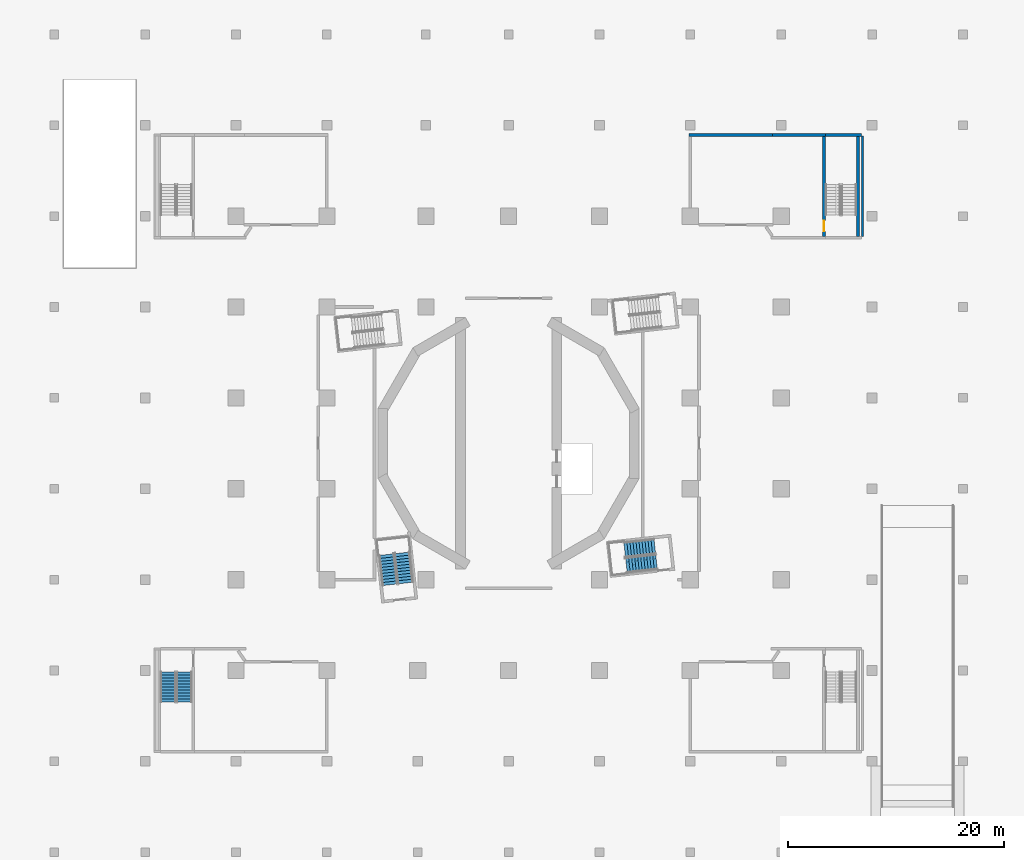
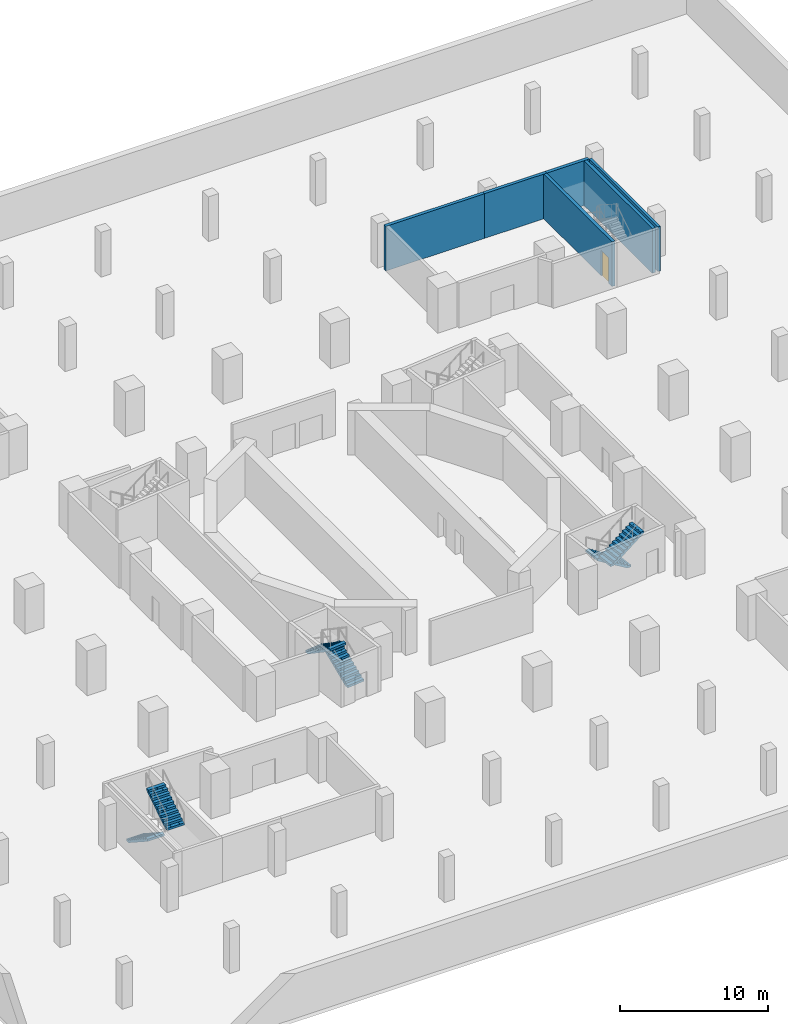
# One storey, part 10 of 18: 6 stair flights, 6 walls, 1 door, 1 opening, 3 elements without a shape of their own.
"""IFC4 building model written with IfcOpenShell, lengths in metres."""

from ifc_helpers import new_model, si_unit, direction, frame, frame_2d, origin, place, context, subcontext, project, spatial, polyline, rectangle, outline, extrude, material, layer, layer_set, type_object, element, fill, aggregate, save


model = new_model("IFC4")

# Units and contexts
model_context = context("Model", 3, precision=1e-05, world=origin(), true_north=direction((0.0, 1.0)))
body_context = subcontext(model_context, "Body", "Model", "MODEL_VIEW")
ifc_project = project(units=[si_unit("LENGTHUNIT", "METRE"), si_unit("AREAUNIT", "SQUARE_METRE"), si_unit("VOLUMEUNIT", "CUBIC_METRE"), si_unit("PLANEANGLEUNIT", "RADIAN"), si_unit("MASSUNIT", "GRAM", prefix="KILO")], contexts=[model_context])

# Site, building, storey
site_placement = place(None, origin())
site = spatial("IfcSite", under=ifc_project, at=site_placement, CompositionType="ELEMENT")
building_placement = place(site_placement, origin())
building = spatial("IfcBuilding", under=site, at=building_placement, Name="Cantera Rosa Tower", CompositionType="ELEMENT")
storey_placement = place(building_placement, frame((0.0, 0.0, -9.0)))
storey = spatial("IfcBuildingStorey", under=building, at=storey_placement, Name="B2", CompositionType="ELEMENT", Elevation=-9.0)

# Walls
ifc_material_1 = material(Name="Masonry blockwork", Category="masonry")
ifc_layer_1 = layer(ifc_material_1, 0.199951171875)
ifc_layer_set_1 = layer_set([ifc_layer_1], Name="Blockwork partition 200")
wall_type_1 = type_object("IfcWallType", Name="Blockwork partition 200", PredefinedType="PARTITIONING", material=ifc_layer_set_1)
wall_1_placement = place(storey_placement, frame((32.699951171875, 19.10009765625, 0.0), z_axis=(0.0, 0.0, 1.0), x_axis=(0.0, 1.0, 0.0)))
element("IfcWall", 1, at=wall_1_placement, inside=storey, type_object=wall_type_1, Name="Partition B2-33", PredefinedType="PARTITIONING", context=body_context, shape_type="SweptSolid", body=[
    extrude(rectangle(XDim=9.2998046875, YDim=0.199951171875, at=frame_2d((4.64990234375, 0.0))), origin(), (0.0, 0.0, 1.0), 3.699951171875),
])
ifc_material_2 = material(Name="Concrete C50/60", Category="concrete")
ifc_layer_2 = layer(ifc_material_2, 0.25)
ifc_layer_set_2 = layer_set([ifc_layer_2], Name="External stair wall 250")
wall_type_2 = type_object("IfcWallType", Name="External stair wall 250", PredefinedType="SOLIDWALL", material=ifc_layer_set_2)
wall_2_placement = place(storey_placement, frame((29.27490234375, 28.5, 0.0), z_axis=(0.0, 0.0, 1.0), x_axis=(1.0, 0.0, 0.0)))
element("IfcWall", 2, at=wall_2_placement, inside=storey, type_object=wall_type_2, Name="Stair wall B2-24", PredefinedType="SOLIDWALL", context=body_context, shape_type="SweptSolid", body=[
    extrude(rectangle(XDim=3.3251953125, YDim=0.25, at=frame_2d((1.66259765625, 0.0))), origin(), (0.0, 0.0, 1.0), 3.699951171875),
])
ifc_material_3 = material(Name="Masonry blockwork", Category="masonry")
ifc_layer_3 = layer(ifc_material_3, 0.25)
ifc_layer_set_3 = layer_set([ifc_layer_3], Name="Fire-rated external wall 250")
wall_type_3 = type_object("IfcWallType", Name="Fire-rated external wall 250", PredefinedType="PARTITIONING", material=ifc_layer_set_3)
wall_3_placement = place(storey_placement, frame((16.675048828125, 28.5, 0.0), z_axis=(0.0, 0.0, 1.0), x_axis=(1.0, 0.0, 0.0)))
element("IfcWall", 3, at=wall_3_placement, inside=storey, type_object=wall_type_3, Name="Fire wall B2-22", PredefinedType="PARTITIONING", context=body_context, shape_type="SweptSolid", body=[
    extrude(rectangle(XDim=7.724853515625, YDim=0.25, at=frame_2d((3.8623046875, 0.0))), origin(), (0.0, 0.0, 1.0), 3.699951171875),
])
wall_4_placement = place(storey_placement, frame((24.39990234375, 28.5, 0.0), z_axis=(0.0, 0.0, 1.0), x_axis=(1.0, 0.0, 0.0)))
element("IfcWall", 4, at=wall_4_placement, inside=storey, type_object=wall_type_3, Name="Fire wall B2-23", PredefinedType="PARTITIONING", context=body_context, shape_type="SweptSolid", body=[
    extrude(rectangle(XDim=4.875, YDim=0.25, at=frame_2d((2.4375, 0.0))), origin(), (0.0, 0.0, 1.0), 3.699951171875),
])
ifc_material_4 = material(Name="Concrete C50/60", Category="concrete")
ifc_layer_4 = layer(ifc_material_4, 0.25)
ifc_layer_set_4 = layer_set([ifc_layer_4], Name="RC stair wall 250 C50/60")
wall_type_4 = type_object("IfcWallType", Name="RC stair wall 250", PredefinedType="SOLIDWALL", material=ifc_layer_set_4)
wall_5_placement = place(storey_placement, frame((32.300048828125, 19.125, 0.0), z_axis=(0.0, 0.0, 1.0), x_axis=(0.0, 1.0, 0.0)))
element("IfcWall", 5, at=wall_5_placement, inside=storey, type_object=wall_type_4, Name="Stair wall B2-17", PredefinedType="SOLIDWALL", context=body_context, shape_type="SweptSolid", body=[
    extrude(rectangle(XDim=9.25, YDim=0.25, at=frame_2d((4.625, 0.0))), origin(), (0.0, 0.0, 1.0), 3.699951171875),
])

# Wall, opening, door
wall_6_placement = place(storey_placement, frame((29.14990234375, 19.125, 0.0), z_axis=(0.0, 0.0, 1.0), x_axis=(0.0, 1.0, 0.0)))
wall_6 = element("IfcWall", 6, at=wall_6_placement, inside=storey, type_object=wall_type_4, Name="Stair wall B2-26", PredefinedType="SOLIDWALL", context=body_context, shape_type="SweptSolid", body=[
    extrude(rectangle(XDim=9.25, YDim=0.25, at=frame_2d((4.625, 0.0))), origin(), (0.0, 0.0, 1.0), 3.699951171875),
])
opening_placement = place(wall_6_placement, frame((0.47509765625, 0.0, 0.0)))
opening = element("IfcOpeningElement", 7, at=opening_placement, cuts=wall_6, Name="Opening B2-002", PredefinedType="OPENING", context=body_context, shape_type="SweptSolid", body=[
    extrude(rectangle(XDim=1.0, YDim=2.10009765625, at=frame_2d((0.5, 1.050048828125))), frame((0.0, 0.135009765625, 0.0), z_axis=(0.0, -1.0, 0.0), x_axis=(1.0, 0.0, 0.0)), (0.0, 0.0, 1.0), 0.27001953125),
])
ifc_material_5 = material(Name="Steel S355J2 (EN 10025-2)", Category="steel")
door_type = type_object("IfcDoorType", Name="Fire door 1000x2100 EI 120", OperationType="NOTDEFINED", PredefinedType="DOOR", material=ifc_material_5)
door_placement = place(opening_placement, origin())
door = element("IfcDoor", 8, at=door_placement, inside=storey, type_object=door_type, Name="Door B2-002", OverallHeight=2.10009765625, OverallWidth=1.0, PredefinedType="DOOR", context=body_context, shape_type="SweptSolid", body=[
    extrude(rectangle(XDim=1.0, YDim=2.10009765625, at=frame_2d((0.5, 1.050048828125))), frame((0.0, 0.02490234375, 0.0), z_axis=(0.0, -1.0, 0.0), x_axis=(1.0, 0.0, 0.0)), (0.0, 0.0, 1.0), 0.050048828125),
])
fill(opening, door)

# Stair, stair flights
ifc_material_6 = material(Name="Concrete C35/45", Category="concrete")
stair_type_1 = type_object("IfcStairType", Name="EXIT STAIR 1350 DOGLEG", PredefinedType="HALF_TURN_STAIR", material=ifc_material_6)
stair_1_placement = place(storey_placement, origin())
stair_1 = element("IfcStair", 9, at=stair_1_placement, inside=storey, type_object=stair_type_1, Name="B2 ST-13", PredefinedType="HALF_TURN_STAIR")
ifc_material_7 = material(Name="Concrete C35/45", Category="concrete")
stair_flight_type_1 = type_object("IfcStairFlightType", Name="STAIR FLIGHT 1350 R22x182", PredefinedType="STRAIGHT", material=ifc_material_7)
stair_flight_1_placement = place(storey_placement, frame((-9.500244140625, -12.90869140625, 0.0), z_axis=(0.0, 0.0, 1.0), x_axis=(-0.110312549749, 0.993896947056, 0.0)))
stair_flight_1 = element("IfcStairFlight", 10, at=stair_flight_1_placement, type_object=stair_flight_type_1, Name="ST-13 flight 1", NumberOfRisers=11, NumberOfTreads=10, PredefinedType="STRAIGHT", RiserHeight=0.181818182, TreadLength=0.28, context=body_context, shape_type="SweptSolid", body=[
    extrude(outline(polyline([(0.0, 0.0), (0.0, 0.181884765625), (0.280029296875, 0.181884765625), (0.280029296875, 0.363525390625), (0.56005859375, 0.363525390625), (0.56005859375, 0.54541015625), (0.840087890625, 0.54541015625), (0.840087890625, 0.727294921875), (1.1201171875, 0.727294921875), (1.1201171875, 0.9091796875), (1.39990234375, 0.9091796875), (1.39990234375, 1.0908203125), (1.679931640625, 1.0908203125), (1.679931640625, 1.272705078125), (1.9599609375, 1.272705078125), (1.9599609375, 1.45458984375), (2.239990234375, 1.45458984375), (2.239990234375, 1.636474609375), (2.52001953125, 1.636474609375), (2.52001953125, 1.818115234375), (2.800048828125, 1.818115234375), (2.800048828125, 2.0), (2.800048828125, 1.639404296875), (0.275146484375, 0.0), (0.0, 0.0)])), frame((0.0, 0.675048828125, 0.0), z_axis=(0.0, -1.0, 0.0), x_axis=(1.0, 0.0, 0.0)), (0.0, 0.0, 1.0), 0.3359375),
    extrude(outline(polyline([(0.0, 0.0), (0.0, 0.181884765625), (0.280029296875, 0.181884765625), (0.280029296875, 0.363525390625), (0.56005859375, 0.363525390625), (0.56005859375, 0.54541015625), (0.840087890625, 0.54541015625), (0.840087890625, 0.727294921875), (1.1201171875, 0.727294921875), (1.1201171875, 0.9091796875), (1.39990234375, 0.9091796875), (1.39990234375, 1.0908203125), (1.679931640625, 1.0908203125), (1.679931640625, 1.272705078125), (1.9599609375, 1.272705078125), (1.9599609375, 1.45458984375), (2.239990234375, 1.45458984375), (2.239990234375, 1.636474609375), (2.52001953125, 1.636474609375), (2.52001953125, 1.818115234375), (2.800048828125, 1.818115234375), (2.800048828125, 2.0), (2.800048828125, 1.639404296875), (0.275146484375, 0.0), (0.0, 0.0)])), frame((0.0, 0.337158203125, 0.0), z_axis=(0.0, -1.0, 0.0), x_axis=(1.0, 0.0, 0.0)), (0.0, 0.0, 1.0), 0.3359375),
    extrude(outline(polyline([(0.0, 0.0), (0.0, 0.181884765625), (0.280029296875, 0.181884765625), (0.280029296875, 0.363525390625), (0.56005859375, 0.363525390625), (0.56005859375, 0.54541015625), (0.840087890625, 0.54541015625), (0.840087890625, 0.727294921875), (1.1201171875, 0.727294921875), (1.1201171875, 0.9091796875), (1.39990234375, 0.9091796875), (1.39990234375, 1.0908203125), (1.679931640625, 1.0908203125), (1.679931640625, 1.272705078125), (1.9599609375, 1.272705078125), (1.9599609375, 1.45458984375), (2.239990234375, 1.45458984375), (2.239990234375, 1.636474609375), (2.52001953125, 1.636474609375), (2.52001953125, 1.818115234375), (2.800048828125, 1.818115234375), (2.800048828125, 2.0), (2.800048828125, 1.639404296875), (0.275146484375, 0.0), (0.0, 0.0)])), frame((0.0, -0.000732421875, 0.0), z_axis=(0.0, -1.0, 0.0), x_axis=(1.0, 0.0, 0.0)), (0.0, 0.0, 1.0), 0.3359375),
    extrude(outline(polyline([(0.0, 0.0), (0.0, 0.181884765625), (0.280029296875, 0.181884765625), (0.280029296875, 0.363525390625), (0.56005859375, 0.363525390625), (0.56005859375, 0.54541015625), (0.840087890625, 0.54541015625), (0.840087890625, 0.727294921875), (1.1201171875, 0.727294921875), (1.1201171875, 0.9091796875), (1.39990234375, 0.9091796875), (1.39990234375, 1.0908203125), (1.679931640625, 1.0908203125), (1.679931640625, 1.272705078125), (1.9599609375, 1.272705078125), (1.9599609375, 1.45458984375), (2.239990234375, 1.45458984375), (2.239990234375, 1.636474609375), (2.52001953125, 1.636474609375), (2.52001953125, 1.818115234375), (2.800048828125, 1.818115234375), (2.800048828125, 2.0), (2.800048828125, 1.639404296875), (0.275146484375, 0.0), (0.0, 0.0)])), frame((0.0, -0.338623046875, 0.0), z_axis=(0.0, -1.0, 0.0), x_axis=(1.0, 0.0, 0.0)), (0.0, 0.0, 1.0), 0.3359375),
])
stair_flight_2_placement = place(storey_placement, frame((-11.2998046875, -10.291259765625, 2.0), z_axis=(0.0, 0.0, 1.0), x_axis=(0.110312549749, -0.993896947056, 0.0)))
stair_flight_2 = element("IfcStairFlight", 11, at=stair_flight_2_placement, type_object=stair_flight_type_1, Name="ST-13 flight 2", NumberOfRisers=11, NumberOfTreads=10, PredefinedType="STRAIGHT", RiserHeight=0.181818182, TreadLength=0.28, context=body_context, shape_type="SweptSolid", body=[
    extrude(outline(polyline([(0.0, 0.0), (0.0, 0.181884765625), (0.280029296875, 0.181884765625), (0.280029296875, 0.363525390625), (0.56005859375, 0.363525390625), (0.56005859375, 0.54541015625), (0.840087890625, 0.54541015625), (0.840087890625, 0.727294921875), (1.1201171875, 0.727294921875), (1.1201171875, 0.9091796875), (1.39990234375, 0.9091796875), (1.39990234375, 1.0908203125), (1.679931640625, 1.0908203125), (1.679931640625, 1.272705078125), (1.9599609375, 1.272705078125), (1.9599609375, 1.45458984375), (2.239990234375, 1.45458984375), (2.239990234375, 1.636474609375), (2.52001953125, 1.636474609375), (2.52001953125, 1.818115234375), (2.800048828125, 1.818115234375), (2.800048828125, 2.0), (2.800048828125, 1.639404296875), (0.275146484375, 0.0), (0.0, 0.0)])), frame((0.0, 0.675048828125, 0.0), z_axis=(0.0, -1.0, 0.0), x_axis=(1.0, 0.0, 0.0)), (0.0, 0.0, 1.0), 0.3359375),
    extrude(outline(polyline([(0.0, 0.0), (0.0, 0.181884765625), (0.280029296875, 0.181884765625), (0.280029296875, 0.363525390625), (0.56005859375, 0.363525390625), (0.56005859375, 0.54541015625), (0.840087890625, 0.54541015625), (0.840087890625, 0.727294921875), (1.1201171875, 0.727294921875), (1.1201171875, 0.9091796875), (1.39990234375, 0.9091796875), (1.39990234375, 1.0908203125), (1.679931640625, 1.0908203125), (1.679931640625, 1.272705078125), (1.9599609375, 1.272705078125), (1.9599609375, 1.45458984375), (2.239990234375, 1.45458984375), (2.239990234375, 1.636474609375), (2.52001953125, 1.636474609375), (2.52001953125, 1.818115234375), (2.800048828125, 1.818115234375), (2.800048828125, 2.0), (2.800048828125, 1.639404296875), (0.275146484375, 0.0), (0.0, 0.0)])), frame((0.0, 0.337158203125, 0.0), z_axis=(0.0, -1.0, 0.0), x_axis=(1.0, 0.0, 0.0)), (0.0, 0.0, 1.0), 0.3359375),
    extrude(outline(polyline([(0.0, 0.0), (0.0, 0.181884765625), (0.280029296875, 0.181884765625), (0.280029296875, 0.363525390625), (0.56005859375, 0.363525390625), (0.56005859375, 0.54541015625), (0.840087890625, 0.54541015625), (0.840087890625, 0.727294921875), (1.1201171875, 0.727294921875), (1.1201171875, 0.9091796875), (1.39990234375, 0.9091796875), (1.39990234375, 1.0908203125), (1.679931640625, 1.0908203125), (1.679931640625, 1.272705078125), (1.9599609375, 1.272705078125), (1.9599609375, 1.45458984375), (2.239990234375, 1.45458984375), (2.239990234375, 1.636474609375), (2.52001953125, 1.636474609375), (2.52001953125, 1.818115234375), (2.800048828125, 1.818115234375), (2.800048828125, 2.0), (2.800048828125, 1.639404296875), (0.275146484375, 0.0), (0.0, 0.0)])), frame((0.0, -0.000732421875, 0.0), z_axis=(0.0, -1.0, 0.0), x_axis=(1.0, 0.0, 0.0)), (0.0, 0.0, 1.0), 0.3359375),
    extrude(outline(polyline([(0.0, 0.0), (0.0, 0.181884765625), (0.280029296875, 0.181884765625), (0.280029296875, 0.363525390625), (0.56005859375, 0.363525390625), (0.56005859375, 0.54541015625), (0.840087890625, 0.54541015625), (0.840087890625, 0.727294921875), (1.1201171875, 0.727294921875), (1.1201171875, 0.9091796875), (1.39990234375, 0.9091796875), (1.39990234375, 1.0908203125), (1.679931640625, 1.0908203125), (1.679931640625, 1.272705078125), (1.9599609375, 1.272705078125), (1.9599609375, 1.45458984375), (2.239990234375, 1.45458984375), (2.239990234375, 1.636474609375), (2.52001953125, 1.636474609375), (2.52001953125, 1.818115234375), (2.800048828125, 1.818115234375), (2.800048828125, 2.0), (2.800048828125, 1.639404296875), (0.275146484375, 0.0), (0.0, 0.0)])), frame((0.0, -0.338623046875, 0.0), z_axis=(0.0, -1.0, 0.0), x_axis=(1.0, 0.0, 0.0)), (0.0, 0.0, 1.0), 0.3359375),
])
aggregate(stair_1, [stair_flight_1, stair_flight_2])

stair_2_placement = place(storey_placement, origin())
stair_2 = element("IfcStair", 12, at=stair_2_placement, inside=storey, type_object=stair_type_1, Name="B2 ST-14", PredefinedType="HALF_TURN_STAIR")
stair_flight_3_placement = place(storey_placement, frame((13.5087890625, -9.500244140625, 0.0), z_axis=(0.0, 0.0, 1.0), x_axis=(-0.993896947056, -0.110312549749, 0.0)))
stair_flight_3 = element("IfcStairFlight", 13, at=stair_flight_3_placement, type_object=stair_flight_type_1, Name="ST-14 flight 1", NumberOfRisers=11, NumberOfTreads=10, PredefinedType="STRAIGHT", RiserHeight=0.181818182, TreadLength=0.28, context=body_context, shape_type="SweptSolid", body=[
    extrude(outline(polyline([(0.0, 0.0), (0.0, 0.181884765625), (0.280029296875, 0.181884765625), (0.280029296875, 0.363525390625), (0.56005859375, 0.363525390625), (0.56005859375, 0.54541015625), (0.840087890625, 0.54541015625), (0.840087890625, 0.727294921875), (1.1201171875, 0.727294921875), (1.1201171875, 0.9091796875), (1.39990234375, 0.9091796875), (1.39990234375, 1.0908203125), (1.679931640625, 1.0908203125), (1.679931640625, 1.272705078125), (1.9599609375, 1.272705078125), (1.9599609375, 1.45458984375), (2.239990234375, 1.45458984375), (2.239990234375, 1.636474609375), (2.52001953125, 1.636474609375), (2.52001953125, 1.818115234375), (2.800048828125, 1.818115234375), (2.800048828125, 2.0), (2.800048828125, 1.639404296875), (0.275146484375, 0.0), (0.0, 0.0)])), frame((0.0, 0.675048828125, 0.0), z_axis=(0.0, -1.0, 0.0), x_axis=(1.0, 0.0, 0.0)), (0.0, 0.0, 1.0), 0.3359375),
    extrude(outline(polyline([(0.0, 0.0), (0.0, 0.181884765625), (0.280029296875, 0.181884765625), (0.280029296875, 0.363525390625), (0.56005859375, 0.363525390625), (0.56005859375, 0.54541015625), (0.840087890625, 0.54541015625), (0.840087890625, 0.727294921875), (1.1201171875, 0.727294921875), (1.1201171875, 0.9091796875), (1.39990234375, 0.9091796875), (1.39990234375, 1.0908203125), (1.679931640625, 1.0908203125), (1.679931640625, 1.272705078125), (1.9599609375, 1.272705078125), (1.9599609375, 1.45458984375), (2.239990234375, 1.45458984375), (2.239990234375, 1.636474609375), (2.52001953125, 1.636474609375), (2.52001953125, 1.818115234375), (2.800048828125, 1.818115234375), (2.800048828125, 2.0), (2.800048828125, 1.639404296875), (0.275146484375, 0.0), (0.0, 0.0)])), frame((0.0, 0.337158203125, 0.0), z_axis=(0.0, -1.0, 0.0), x_axis=(1.0, 0.0, 0.0)), (0.0, 0.0, 1.0), 0.3359375),
    extrude(outline(polyline([(0.0, 0.0), (0.0, 0.181884765625), (0.280029296875, 0.181884765625), (0.280029296875, 0.363525390625), (0.56005859375, 0.363525390625), (0.56005859375, 0.54541015625), (0.840087890625, 0.54541015625), (0.840087890625, 0.727294921875), (1.1201171875, 0.727294921875), (1.1201171875, 0.9091796875), (1.39990234375, 0.9091796875), (1.39990234375, 1.0908203125), (1.679931640625, 1.0908203125), (1.679931640625, 1.272705078125), (1.9599609375, 1.272705078125), (1.9599609375, 1.45458984375), (2.239990234375, 1.45458984375), (2.239990234375, 1.636474609375), (2.52001953125, 1.636474609375), (2.52001953125, 1.818115234375), (2.800048828125, 1.818115234375), (2.800048828125, 2.0), (2.800048828125, 1.639404296875), (0.275146484375, 0.0), (0.0, 0.0)])), frame((0.0, -0.000732421875, 0.0), z_axis=(0.0, -1.0, 0.0), x_axis=(1.0, 0.0, 0.0)), (0.0, 0.0, 1.0), 0.3359375),
    extrude(outline(polyline([(0.0, 0.0), (0.0, 0.181884765625), (0.280029296875, 0.181884765625), (0.280029296875, 0.363525390625), (0.56005859375, 0.363525390625), (0.56005859375, 0.54541015625), (0.840087890625, 0.54541015625), (0.840087890625, 0.727294921875), (1.1201171875, 0.727294921875), (1.1201171875, 0.9091796875), (1.39990234375, 0.9091796875), (1.39990234375, 1.0908203125), (1.679931640625, 1.0908203125), (1.679931640625, 1.272705078125), (1.9599609375, 1.272705078125), (1.9599609375, 1.45458984375), (2.239990234375, 1.45458984375), (2.239990234375, 1.636474609375), (2.52001953125, 1.636474609375), (2.52001953125, 1.818115234375), (2.800048828125, 1.818115234375), (2.800048828125, 2.0), (2.800048828125, 1.639404296875), (0.275146484375, 0.0), (0.0, 0.0)])), frame((0.0, -0.338623046875, 0.0), z_axis=(0.0, -1.0, 0.0), x_axis=(1.0, 0.0, 0.0)), (0.0, 0.0, 1.0), 0.3359375),
])
stair_flight_4_placement = place(storey_placement, frame((10.891357421875, -11.2998046875, 2.0), z_axis=(0.0, 0.0, 1.0), x_axis=(0.993896947056, 0.110312549749, 0.0)))
stair_flight_4 = element("IfcStairFlight", 14, at=stair_flight_4_placement, type_object=stair_flight_type_1, Name="ST-14 flight 2", NumberOfRisers=11, NumberOfTreads=10, PredefinedType="STRAIGHT", RiserHeight=0.181818182, TreadLength=0.28, context=body_context, shape_type="SweptSolid", body=[
    extrude(outline(polyline([(0.0, 0.0), (0.0, 0.181884765625), (0.280029296875, 0.181884765625), (0.280029296875, 0.363525390625), (0.56005859375, 0.363525390625), (0.56005859375, 0.54541015625), (0.840087890625, 0.54541015625), (0.840087890625, 0.727294921875), (1.1201171875, 0.727294921875), (1.1201171875, 0.9091796875), (1.39990234375, 0.9091796875), (1.39990234375, 1.0908203125), (1.679931640625, 1.0908203125), (1.679931640625, 1.272705078125), (1.9599609375, 1.272705078125), (1.9599609375, 1.45458984375), (2.239990234375, 1.45458984375), (2.239990234375, 1.636474609375), (2.52001953125, 1.636474609375), (2.52001953125, 1.818115234375), (2.800048828125, 1.818115234375), (2.800048828125, 2.0), (2.800048828125, 1.639404296875), (0.275146484375, 0.0), (0.0, 0.0)])), frame((0.0, 0.675048828125, 0.0), z_axis=(0.0, -1.0, 0.0), x_axis=(1.0, 0.0, 0.0)), (0.0, 0.0, 1.0), 0.3359375),
    extrude(outline(polyline([(0.0, 0.0), (0.0, 0.181884765625), (0.280029296875, 0.181884765625), (0.280029296875, 0.363525390625), (0.56005859375, 0.363525390625), (0.56005859375, 0.54541015625), (0.840087890625, 0.54541015625), (0.840087890625, 0.727294921875), (1.1201171875, 0.727294921875), (1.1201171875, 0.9091796875), (1.39990234375, 0.9091796875), (1.39990234375, 1.0908203125), (1.679931640625, 1.0908203125), (1.679931640625, 1.272705078125), (1.9599609375, 1.272705078125), (1.9599609375, 1.45458984375), (2.239990234375, 1.45458984375), (2.239990234375, 1.636474609375), (2.52001953125, 1.636474609375), (2.52001953125, 1.818115234375), (2.800048828125, 1.818115234375), (2.800048828125, 2.0), (2.800048828125, 1.639404296875), (0.275146484375, 0.0), (0.0, 0.0)])), frame((0.0, 0.337158203125, 0.0), z_axis=(0.0, -1.0, 0.0), x_axis=(1.0, 0.0, 0.0)), (0.0, 0.0, 1.0), 0.3359375),
    extrude(outline(polyline([(0.0, 0.0), (0.0, 0.181884765625), (0.280029296875, 0.181884765625), (0.280029296875, 0.363525390625), (0.56005859375, 0.363525390625), (0.56005859375, 0.54541015625), (0.840087890625, 0.54541015625), (0.840087890625, 0.727294921875), (1.1201171875, 0.727294921875), (1.1201171875, 0.9091796875), (1.39990234375, 0.9091796875), (1.39990234375, 1.0908203125), (1.679931640625, 1.0908203125), (1.679931640625, 1.272705078125), (1.9599609375, 1.272705078125), (1.9599609375, 1.45458984375), (2.239990234375, 1.45458984375), (2.239990234375, 1.636474609375), (2.52001953125, 1.636474609375), (2.52001953125, 1.818115234375), (2.800048828125, 1.818115234375), (2.800048828125, 2.0), (2.800048828125, 1.639404296875), (0.275146484375, 0.0), (0.0, 0.0)])), frame((0.0, -0.000732421875, 0.0), z_axis=(0.0, -1.0, 0.0), x_axis=(1.0, 0.0, 0.0)), (0.0, 0.0, 1.0), 0.3359375),
    extrude(outline(polyline([(0.0, 0.0), (0.0, 0.181884765625), (0.280029296875, 0.181884765625), (0.280029296875, 0.363525390625), (0.56005859375, 0.363525390625), (0.56005859375, 0.54541015625), (0.840087890625, 0.54541015625), (0.840087890625, 0.727294921875), (1.1201171875, 0.727294921875), (1.1201171875, 0.9091796875), (1.39990234375, 0.9091796875), (1.39990234375, 1.0908203125), (1.679931640625, 1.0908203125), (1.679931640625, 1.272705078125), (1.9599609375, 1.272705078125), (1.9599609375, 1.45458984375), (2.239990234375, 1.45458984375), (2.239990234375, 1.636474609375), (2.52001953125, 1.636474609375), (2.52001953125, 1.818115234375), (2.800048828125, 1.818115234375), (2.800048828125, 2.0), (2.800048828125, 1.639404296875), (0.275146484375, 0.0), (0.0, 0.0)])), frame((0.0, -0.338623046875, 0.0), z_axis=(0.0, -1.0, 0.0), x_axis=(1.0, 0.0, 0.0)), (0.0, 0.0, 1.0), 0.3359375),
])
aggregate(stair_2, [stair_flight_3, stair_flight_4])

ifc_material_8 = material(Name="Concrete C35/45", Category="concrete")
stair_type_2 = type_object("IfcStairType", Name="Stair half-turn 1350", PredefinedType="HALF_TURN_STAIR", material=ifc_material_8)
stair_3_placement = place(storey_placement, origin())
stair_3 = element("IfcStair", 15, at=stair_3_placement, inside=storey, type_object=stair_type_2, Name="B2 ST-SW", PredefinedType="HALF_TURN_STAIR")
ifc_material_9 = material(Name="Concrete C35/45", Category="concrete")
stair_flight_type_2 = type_object("IfcStairFlightType", Name="Stair flight 1350", PredefinedType="STRAIGHT", material=ifc_material_9)
stair_flight_5_placement = place(storey_placement, frame((-31.5, -21.125, 0.0), z_axis=(0.0, 0.0, 1.0), x_axis=(0.0, -1.0, 0.0)))
stair_flight_5 = element("IfcStairFlight", 16, at=stair_flight_5_placement, type_object=stair_flight_type_2, Name="ST-SW flight 1", NumberOfRisers=11, NumberOfTreads=10, PredefinedType="STRAIGHT", RiserHeight=0.181818182, TreadLength=0.28, context=body_context, shape_type="SweptSolid", body=[
    extrude(outline(polyline([(0.0, 0.0), (0.0, 0.181884765625), (0.280029296875, 0.181884765625), (0.280029296875, 0.363525390625), (0.56005859375, 0.363525390625), (0.56005859375, 0.54541015625), (0.840087890625, 0.54541015625), (0.840087890625, 0.727294921875), (1.1201171875, 0.727294921875), (1.1201171875, 0.9091796875), (1.39990234375, 0.9091796875), (1.39990234375, 1.0908203125), (1.679931640625, 1.0908203125), (1.679931640625, 1.272705078125), (1.9599609375, 1.272705078125), (1.9599609375, 1.45458984375), (2.239990234375, 1.45458984375), (2.239990234375, 1.636474609375), (2.52001953125, 1.636474609375), (2.52001953125, 1.818115234375), (2.800048828125, 1.818115234375), (2.800048828125, 2.0), (2.800048828125, 1.639404296875), (0.275146484375, 0.0), (0.0, 0.0)])), frame((0.0, 0.675048828125, 0.0), z_axis=(0.0, -1.0, 0.0), x_axis=(1.0, 0.0, 0.0)), (0.0, 0.0, 1.0), 0.3359375),
    extrude(outline(polyline([(0.0, 0.0), (0.0, 0.181884765625), (0.280029296875, 0.181884765625), (0.280029296875, 0.363525390625), (0.56005859375, 0.363525390625), (0.56005859375, 0.54541015625), (0.840087890625, 0.54541015625), (0.840087890625, 0.727294921875), (1.1201171875, 0.727294921875), (1.1201171875, 0.9091796875), (1.39990234375, 0.9091796875), (1.39990234375, 1.0908203125), (1.679931640625, 1.0908203125), (1.679931640625, 1.272705078125), (1.9599609375, 1.272705078125), (1.9599609375, 1.45458984375), (2.239990234375, 1.45458984375), (2.239990234375, 1.636474609375), (2.52001953125, 1.636474609375), (2.52001953125, 1.818115234375), (2.800048828125, 1.818115234375), (2.800048828125, 2.0), (2.800048828125, 1.639404296875), (0.275146484375, 0.0), (0.0, 0.0)])), frame((0.0, 0.337158203125, 0.0), z_axis=(0.0, -1.0, 0.0), x_axis=(1.0, 0.0, 0.0)), (0.0, 0.0, 1.0), 0.3359375),
    extrude(outline(polyline([(0.0, 0.0), (0.0, 0.181884765625), (0.280029296875, 0.181884765625), (0.280029296875, 0.363525390625), (0.56005859375, 0.363525390625), (0.56005859375, 0.54541015625), (0.840087890625, 0.54541015625), (0.840087890625, 0.727294921875), (1.1201171875, 0.727294921875), (1.1201171875, 0.9091796875), (1.39990234375, 0.9091796875), (1.39990234375, 1.0908203125), (1.679931640625, 1.0908203125), (1.679931640625, 1.272705078125), (1.9599609375, 1.272705078125), (1.9599609375, 1.45458984375), (2.239990234375, 1.45458984375), (2.239990234375, 1.636474609375), (2.52001953125, 1.636474609375), (2.52001953125, 1.818115234375), (2.800048828125, 1.818115234375), (2.800048828125, 2.0), (2.800048828125, 1.639404296875), (0.275146484375, 0.0), (0.0, 0.0)])), frame((0.0, -0.000732421875, 0.0), z_axis=(0.0, -1.0, 0.0), x_axis=(1.0, 0.0, 0.0)), (0.0, 0.0, 1.0), 0.3359375),
    extrude(outline(polyline([(0.0, 0.0), (0.0, 0.181884765625), (0.280029296875, 0.181884765625), (0.280029296875, 0.363525390625), (0.56005859375, 0.363525390625), (0.56005859375, 0.54541015625), (0.840087890625, 0.54541015625), (0.840087890625, 0.727294921875), (1.1201171875, 0.727294921875), (1.1201171875, 0.9091796875), (1.39990234375, 0.9091796875), (1.39990234375, 1.0908203125), (1.679931640625, 1.0908203125), (1.679931640625, 1.272705078125), (1.9599609375, 1.272705078125), (1.9599609375, 1.45458984375), (2.239990234375, 1.45458984375), (2.239990234375, 1.636474609375), (2.52001953125, 1.636474609375), (2.52001953125, 1.818115234375), (2.800048828125, 1.818115234375), (2.800048828125, 2.0), (2.800048828125, 1.639404296875), (0.275146484375, 0.0), (0.0, 0.0)])), frame((0.0, -0.338623046875, 0.0), z_axis=(0.0, -1.0, 0.0), x_axis=(1.0, 0.0, 0.0)), (0.0, 0.0, 1.0), 0.3359375),
])
stair_flight_6_placement = place(storey_placement, frame((-29.949951171875, -23.925048828125, 2.0), z_axis=(0.0, 0.0, 1.0), x_axis=(0.0, 1.0, 0.0)))
stair_flight_6 = element("IfcStairFlight", 17, at=stair_flight_6_placement, type_object=stair_flight_type_2, Name="ST-SW flight 2", NumberOfRisers=11, NumberOfTreads=10, PredefinedType="STRAIGHT", RiserHeight=0.181818182, TreadLength=0.28, context=body_context, shape_type="SweptSolid", body=[
    extrude(outline(polyline([(0.0, 0.0), (0.0, 0.181884765625), (0.280029296875, 0.181884765625), (0.280029296875, 0.363525390625), (0.56005859375, 0.363525390625), (0.56005859375, 0.54541015625), (0.840087890625, 0.54541015625), (0.840087890625, 0.727294921875), (1.1201171875, 0.727294921875), (1.1201171875, 0.9091796875), (1.39990234375, 0.9091796875), (1.39990234375, 1.0908203125), (1.679931640625, 1.0908203125), (1.679931640625, 1.272705078125), (1.9599609375, 1.272705078125), (1.9599609375, 1.45458984375), (2.239990234375, 1.45458984375), (2.239990234375, 1.636474609375), (2.52001953125, 1.636474609375), (2.52001953125, 1.818115234375), (2.800048828125, 1.818115234375), (2.800048828125, 2.0), (2.800048828125, 1.639404296875), (0.275146484375, 0.0), (0.0, 0.0)])), frame((0.0, 0.675048828125, 0.0), z_axis=(0.0, -1.0, 0.0), x_axis=(1.0, 0.0, 0.0)), (0.0, 0.0, 1.0), 0.3359375),
    extrude(outline(polyline([(0.0, 0.0), (0.0, 0.181884765625), (0.280029296875, 0.181884765625), (0.280029296875, 0.363525390625), (0.56005859375, 0.363525390625), (0.56005859375, 0.54541015625), (0.840087890625, 0.54541015625), (0.840087890625, 0.727294921875), (1.1201171875, 0.727294921875), (1.1201171875, 0.9091796875), (1.39990234375, 0.9091796875), (1.39990234375, 1.0908203125), (1.679931640625, 1.0908203125), (1.679931640625, 1.272705078125), (1.9599609375, 1.272705078125), (1.9599609375, 1.45458984375), (2.239990234375, 1.45458984375), (2.239990234375, 1.636474609375), (2.52001953125, 1.636474609375), (2.52001953125, 1.818115234375), (2.800048828125, 1.818115234375), (2.800048828125, 2.0), (2.800048828125, 1.639404296875), (0.275146484375, 0.0), (0.0, 0.0)])), frame((0.0, 0.337158203125, 0.0), z_axis=(0.0, -1.0, 0.0), x_axis=(1.0, 0.0, 0.0)), (0.0, 0.0, 1.0), 0.3359375),
    extrude(outline(polyline([(0.0, 0.0), (0.0, 0.181884765625), (0.280029296875, 0.181884765625), (0.280029296875, 0.363525390625), (0.56005859375, 0.363525390625), (0.56005859375, 0.54541015625), (0.840087890625, 0.54541015625), (0.840087890625, 0.727294921875), (1.1201171875, 0.727294921875), (1.1201171875, 0.9091796875), (1.39990234375, 0.9091796875), (1.39990234375, 1.0908203125), (1.679931640625, 1.0908203125), (1.679931640625, 1.272705078125), (1.9599609375, 1.272705078125), (1.9599609375, 1.45458984375), (2.239990234375, 1.45458984375), (2.239990234375, 1.636474609375), (2.52001953125, 1.636474609375), (2.52001953125, 1.818115234375), (2.800048828125, 1.818115234375), (2.800048828125, 2.0), (2.800048828125, 1.639404296875), (0.275146484375, 0.0), (0.0, 0.0)])), frame((0.0, -0.000732421875, 0.0), z_axis=(0.0, -1.0, 0.0), x_axis=(1.0, 0.0, 0.0)), (0.0, 0.0, 1.0), 0.3359375),
    extrude(outline(polyline([(0.0, 0.0), (0.0, 0.181884765625), (0.280029296875, 0.181884765625), (0.280029296875, 0.363525390625), (0.56005859375, 0.363525390625), (0.56005859375, 0.54541015625), (0.840087890625, 0.54541015625), (0.840087890625, 0.727294921875), (1.1201171875, 0.727294921875), (1.1201171875, 0.9091796875), (1.39990234375, 0.9091796875), (1.39990234375, 1.0908203125), (1.679931640625, 1.0908203125), (1.679931640625, 1.272705078125), (1.9599609375, 1.272705078125), (1.9599609375, 1.45458984375), (2.239990234375, 1.45458984375), (2.239990234375, 1.636474609375), (2.52001953125, 1.636474609375), (2.52001953125, 1.818115234375), (2.800048828125, 1.818115234375), (2.800048828125, 2.0), (2.800048828125, 1.639404296875), (0.275146484375, 0.0), (0.0, 0.0)])), frame((0.0, -0.338623046875, 0.0), z_axis=(0.0, -1.0, 0.0), x_axis=(1.0, 0.0, 0.0)), (0.0, 0.0, 1.0), 0.3359375),
])
aggregate(stair_3, [stair_flight_5, stair_flight_6])

save(model, "model.ifc")
